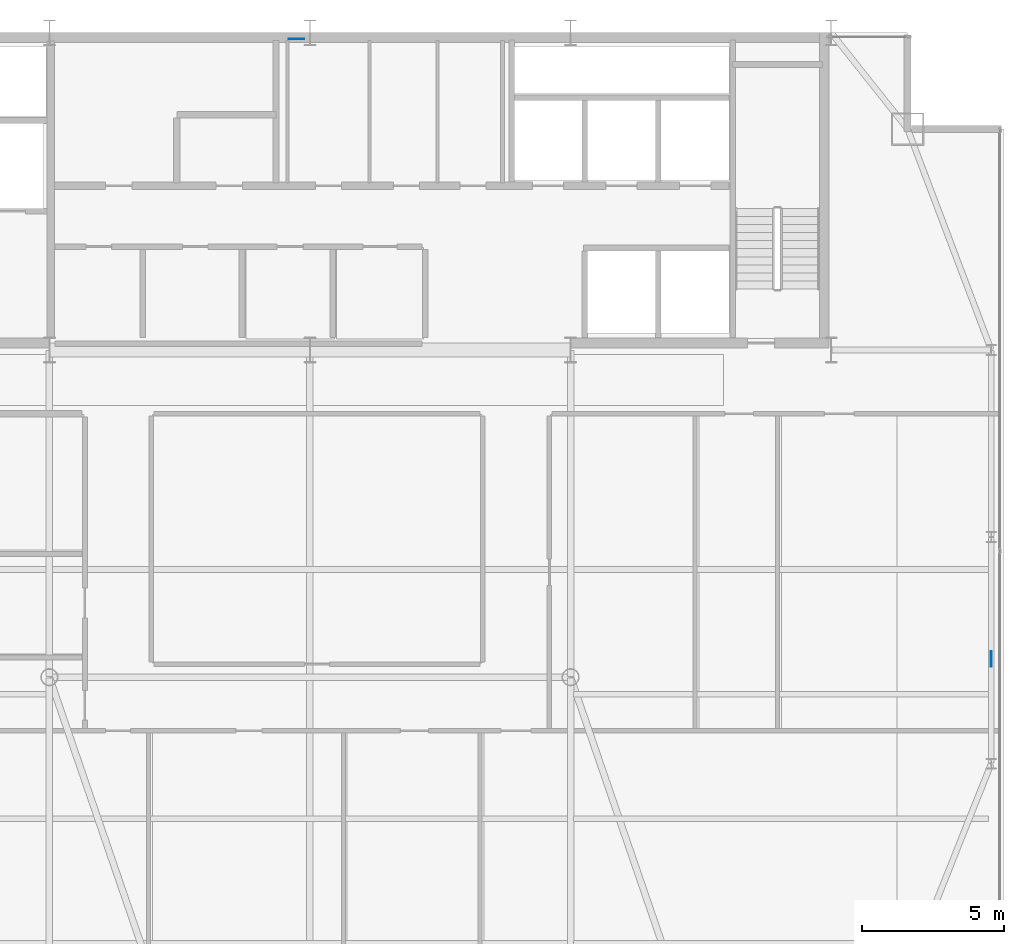
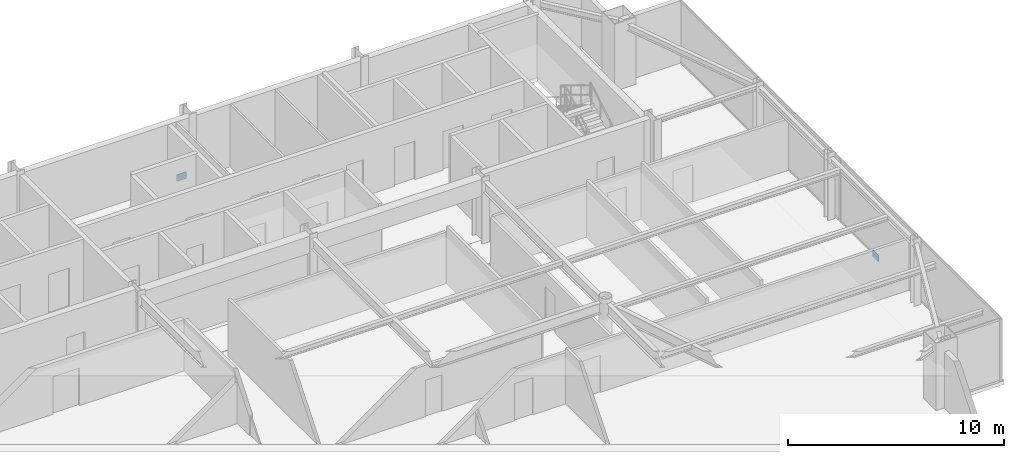
# One storey, part 25 of 30: 2 plates.
"""IFC4 building model written with IfcOpenShell, lengths in metres."""

from ifc_helpers import new_model, si_unit, direction, frame, origin, origin_2d, place, context, subcontext, project, spatial, rectangle, extrude, source, transform, mapped, material, layer, layer_set, type_object, type_shapes, element, save


model = new_model("IFC4")

# Units and contexts
model_context = context("Model", 3, precision=1e-05, world=origin(), true_north=direction((0.0, 1.0)))
body_context = subcontext(model_context, "Body", "Model", "MODEL_VIEW")
ifc_project = project(units=[si_unit("LENGTHUNIT", "METRE"), si_unit("AREAUNIT", "SQUARE_METRE"), si_unit("VOLUMEUNIT", "CUBIC_METRE"), si_unit("PLANEANGLEUNIT", "RADIAN"), si_unit("MASSUNIT", "GRAM", prefix="KILO")], contexts=[model_context])

# Site, building, storey
site_placement = place(None, origin())
site = spatial("IfcSite", under=ifc_project, at=site_placement, CompositionType="ELEMENT")
building_placement = place(site_placement, origin())
building = spatial("IfcBuilding", under=site, at=building_placement, Name="Varnel Quay Broadcast Tower", CompositionType="ELEMENT")
storey_placement = place(building_placement, frame((0.0, 0.0, 247.0)))
storey = spatial("IfcBuildingStorey", under=building, at=storey_placement, Name="L61", CompositionType="ELEMENT", Elevation=247.0)

# Plates
ifc_material = material(Name="Structural Steel CSA G40.21 350WT", Category="steel")
ifc_layer = layer(ifc_material, 0.031982421875, Name="Structural Steel CSA G40.21 350WT")
ifc_layer_set = layer_set([ifc_layer], Name="Structural Steel CSA G40.21 350WT")
plate_type = type_object("IfcPlateType", Name="Plate_EndCap", PredefinedType="USERDEFINED", material=ifc_layer_set)
shared_shape = source(origin(), body_context, "Body", "SweptSolid", [
    extrude(rectangle(XDim=0.5400390625, YDim=0.031982421875, at=origin_2d()), origin(), (0.0, 0.0, 1.0), 0.3798828125),
])
type_shapes(plate_type, [shared_shape])
for number, where, z_axis, x_axis, name in (
    (1, (33.524169921875, 46.580078125, 0.070556640625), (0.0, 0.0, 1.0), (1.0, 0.0, 0.0), "Zone 4 Mega-Brace N-CT3 Diag B2 End Connection Plate P0"),
    (2, (58.050048828125, 24.693359375, 0.256591796875), (0.0, 0.0, 1.0), (0.0, 1.0, 0.0), "Zone 4 Mega-Brace E-FT3 Diag B2 End Connection Plate P0"),
):
    element("IfcPlate", number, at=place(storey_placement, frame(where, z_axis=z_axis, x_axis=x_axis)), inside=storey, type_object=plate_type, Name=name, ObjectType="CAP_PLATE", PredefinedType="USERDEFINED", context=body_context, shape_type="MappedRepresentation", body=[
        mapped(shared_shape, transform((0.0, 0.0, 0.0), x_axis=(1.0, 0.0, 0.0), y_axis=(0.0, 1.0, 0.0), z_axis=(0.0, 0.0, 1.0), scale=1.0)),
    ])

save(model, "model.ifc")
